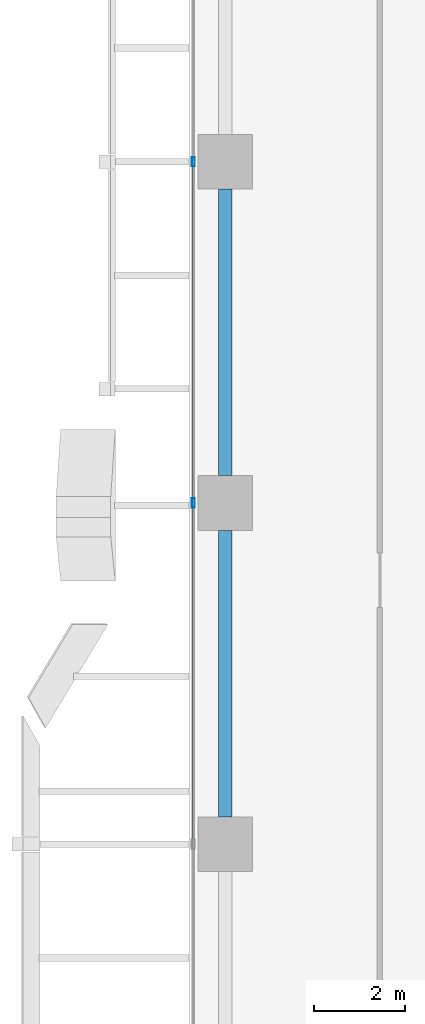
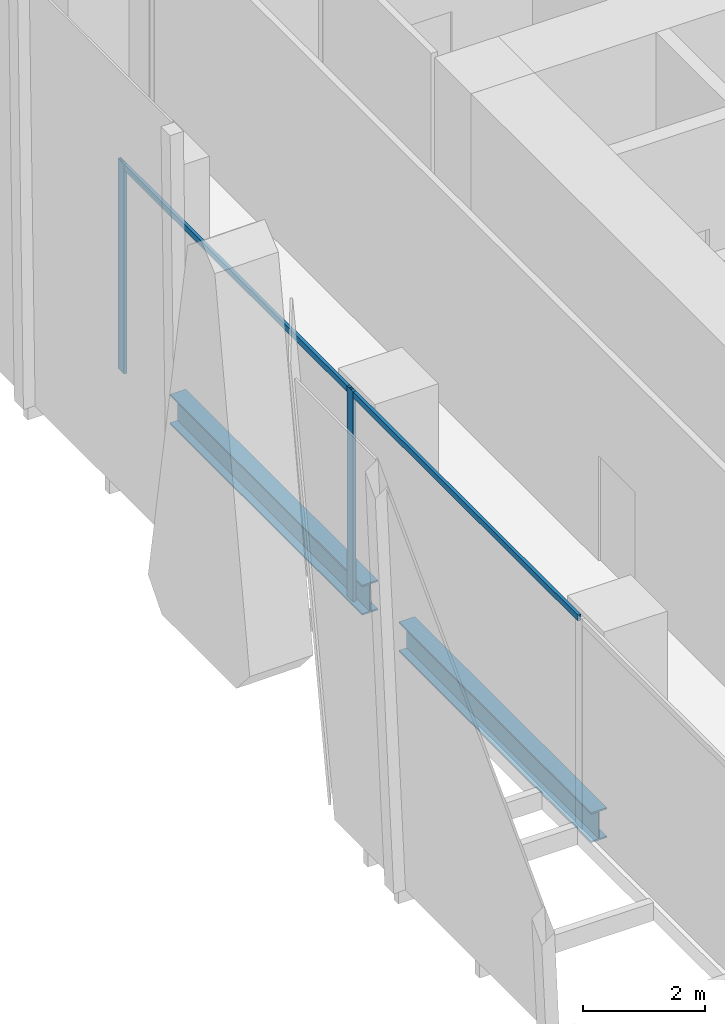
# One storey, part 11 of 35: 4 members, 2 beams, 1 element without a shape of its own.
"""IFC4 building model written with IfcOpenShell, lengths in metres."""

from ifc_helpers import new_model, si_unit, direction, frame, origin, origin_2d, place, context, subcontext, project, spatial, hollow_rectangle, i_section, extrude, source, transform, mapped, material, material_profile, profile_set, type_object, element, aggregate, save


model = new_model("IFC4")

# Units and contexts
model_context = context("Model", 3, precision=1e-05, world=origin(), true_north=direction((0.0, 1.0)))
body_context = subcontext(model_context, "Body", "Model", "MODEL_VIEW")
ifc_project = project(units=[si_unit("LENGTHUNIT", "METRE"), si_unit("AREAUNIT", "SQUARE_METRE"), si_unit("VOLUMEUNIT", "CUBIC_METRE"), si_unit("PLANEANGLEUNIT", "RADIAN"), si_unit("MASSUNIT", "GRAM", prefix="KILO")], contexts=[model_context])

# Site, building, storey
site_placement = place(None, origin())
site = spatial("IfcSite", under=ifc_project, at=site_placement, CompositionType="ELEMENT")
building_placement = place(site_placement, origin())
building = spatial("IfcBuilding", under=site, at=building_placement, Name="Khomas Fold Tower", CompositionType="ELEMENT")
storey_placement = place(building_placement, frame((0.0, 0.0, 87.0)))
storey = spatial("IfcBuildingStorey", under=building, at=storey_placement, Name="L18", CompositionType="ELEMENT", Elevation=87.0)

# Beams
ifc_material_1 = material(Name="Steel S355", Category="steel")
ifc_material_profile_1 = material_profile(ifc_material_1, i_section(OverallWidth=0.300048828125, OverallDepth=0.60009765625, WebThickness=0.015380859375, FlangeThickness=0.030029296875, at=origin_2d()), Name="HE 600 B")
ifc_profile_set_1 = profile_set([ifc_material_profile_1], Name="Steel S355")
beam_type = type_object("IfcBeamType", Name="HE 600 B spandrel SB1", PredefinedType="SPANDREL", material=ifc_profile_set_1)
shared_shape_1 = source(origin(), body_context, "Body", "SweptSolid", [
    extrude(i_section(OverallWidth=0.300048828125, OverallDepth=0.60009765625, WebThickness=0.015380859375, FlangeThickness=0.030029296875, at=origin_2d()), origin(), (0.0, 0.0, 1.0), 6.2998046875),
])
for number, where, z_axis, x_axis, name in (
    (1, (0.800048828125, 35.10009765625, -0.60009765625), (0.0, 1.0, 0.0), (-1.0, 0.0, 0.0), "SB1"),
    (2, (0.800048828125, 27.60009765625, -0.60009765625), (0.0, 1.0, 0.0), (-1.0, 0.0, 0.0), "SB1"),
):
    element("IfcBeam", number, at=place(storey_placement, frame(where, z_axis=z_axis, x_axis=x_axis)), inside=storey, type_object=beam_type, Name=name, PredefinedType="SPANDREL", context=body_context, shape_type="MappedRepresentation", body=[
        mapped(shared_shape_1, transform((0.0, 0.0, 0.0))),
    ])

# Curtain wall, members
ifc_material_2 = material(Name="Aluminium framed double glazing", Category="aluminium")
curtain_wall_type = type_object("IfcCurtainWallType", Name="SK-Unitised clear-glass wall, growing floors CW1", PredefinedType="NOTDEFINED", material=ifc_material_2)
curtain_wall_placement = place(storey_placement, origin())
curtain_wall = element("IfcCurtainWall", 3, at=curtain_wall_placement, inside=storey, type_object=curtain_wall_type, Name="CW1 run L18 09-0", PredefinedType="NOTDEFINED")
ifc_material_3 = material(Name="Aluminium", Category="aluminium")
ifc_material_profile_2 = material_profile(ifc_material_3, hollow_rectangle(XDim=0.06005859375, YDim=0.1201171875, WallThickness=0.00390625, at=origin_2d()), Name="SK-Unitised clear-glass wall, growing floors transom CW1-T")
ifc_profile_set_2 = profile_set([ifc_material_profile_2], Name="Aluminium")
member_type_1 = type_object("IfcMemberType", Name="SK-Unitised clear-glass wall, growing floors transom CW1-T", PredefinedType="USERDEFINED", material=ifc_profile_set_2)
shared_shape_2 = source(origin(), body_context, "Body", "SweptSolid", [
    extrude(hollow_rectangle(XDim=0.06005859375, YDim=0.1201171875, WallThickness=0.00390625, at=origin_2d()), origin(), (0.0, 0.0, 1.0), 7.43994140625),
])
member_1_placement = place(storey_placement, frame((0.10009765625, 41.969970703125, 4.139892578125), z_axis=(0.0, -1.0, 0.0), x_axis=(1.0, 0.0, 0.0)))
member_1 = element("IfcMember", 4, at=member_1_placement, type_object=member_type_1, Name="CW1 transom 3", ObjectType="TRANSOM", PredefinedType="USERDEFINED", context=body_context, shape_type="MappedRepresentation", body=[
    mapped(shared_shape_2, transform((0.0, 0.0, 0.0))),
])
member_2_placement = place(storey_placement, frame((0.10009765625, 34.469970703125, 4.139892578125), z_axis=(0.0, -1.0, 0.0), x_axis=(1.0, 0.0, 0.0)))
member_2 = element("IfcMember", 5, at=member_2_placement, type_object=member_type_1, Name="CW1 transom 4", ObjectType="TRANSOM", PredefinedType="USERDEFINED", context=body_context, shape_type="MappedRepresentation", body=[
    mapped(shared_shape_2, transform((0.0, 0.0, 0.0))),
])
ifc_material_4 = material(Name="Aluminium", Category="aluminium")
ifc_material_profile_3 = material_profile(ifc_material_4, hollow_rectangle(XDim=0.06005859375, YDim=0.199951171875, WallThickness=0.00390625, at=origin_2d()), Name="SK-Unitised clear-glass wall, growing floors mullion CW1-M")
ifc_profile_set_3 = profile_set([ifc_material_profile_3], Name="Aluminium")
member_type_2 = type_object("IfcMemberType", Name="SK-Unitised clear-glass wall, growing floors mullion CW1-M", PredefinedType="MULLION", material=ifc_profile_set_3)
shared_shape_3 = source(origin(), body_context, "Body", "SweptSolid", [
    extrude(hollow_rectangle(XDim=0.06005859375, YDim=0.199951171875, WallThickness=0.00390625, at=origin_2d()), origin(), (0.0, 0.0, 1.0), 4.199951171875),
])
member_3_placement = place(storey_placement, frame((0.10009765625, 42.0, 0.0), z_axis=(0.0, 0.0, 1.0), x_axis=(1.0, 0.0, 0.0)))
member_3 = element("IfcMember", 6, at=member_3_placement, type_object=member_type_2, Name="CW1 mullion 3", PredefinedType="MULLION", context=body_context, shape_type="MappedRepresentation", body=[
    mapped(shared_shape_3, transform((0.0, 0.0, 0.0))),
])
member_4_placement = place(storey_placement, frame((0.10009765625, 34.5, 0.0), z_axis=(0.0, 0.0, 1.0), x_axis=(1.0, 0.0, 0.0)))
member_4 = element("IfcMember", 7, at=member_4_placement, type_object=member_type_2, Name="CW1 mullion 4", PredefinedType="MULLION", context=body_context, shape_type="MappedRepresentation", body=[
    mapped(shared_shape_3, transform((0.0, 0.0, 0.0))),
])
aggregate(curtain_wall, [member_3, member_4, member_1, member_2])

save(model, "model.ifc")
